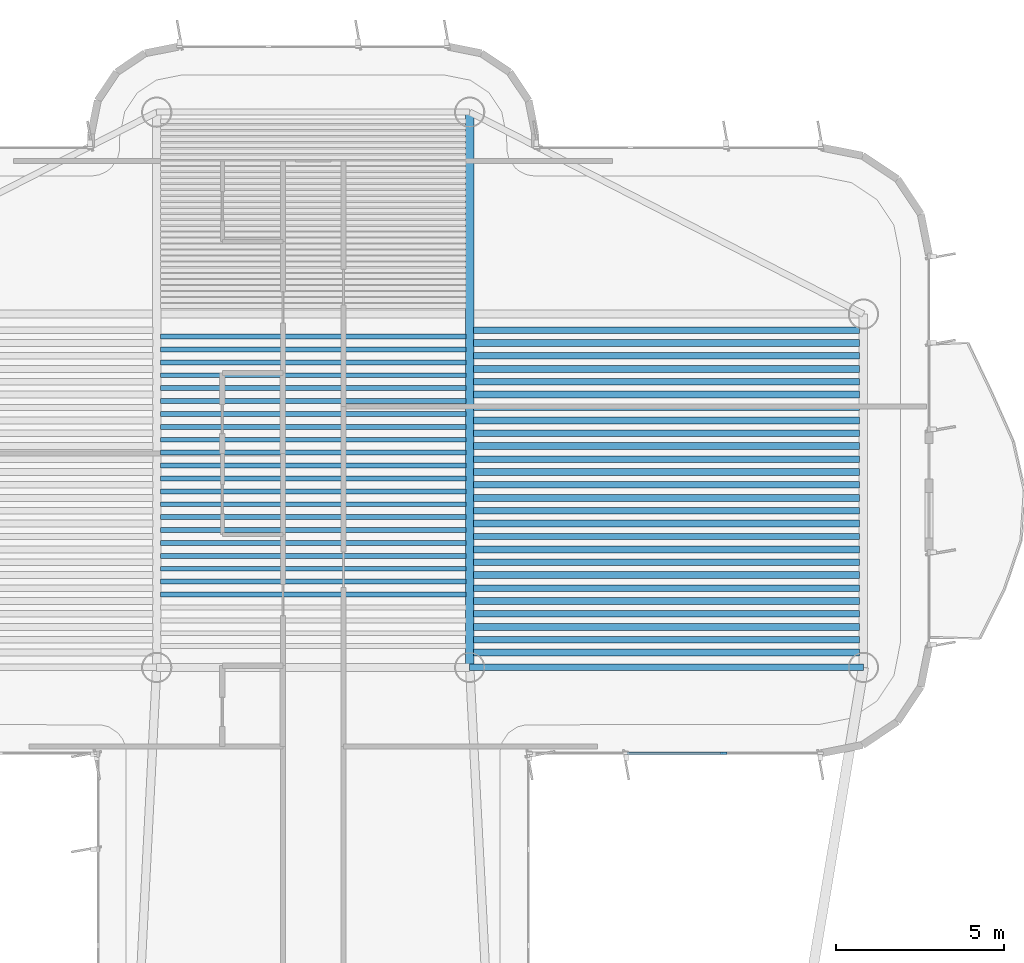
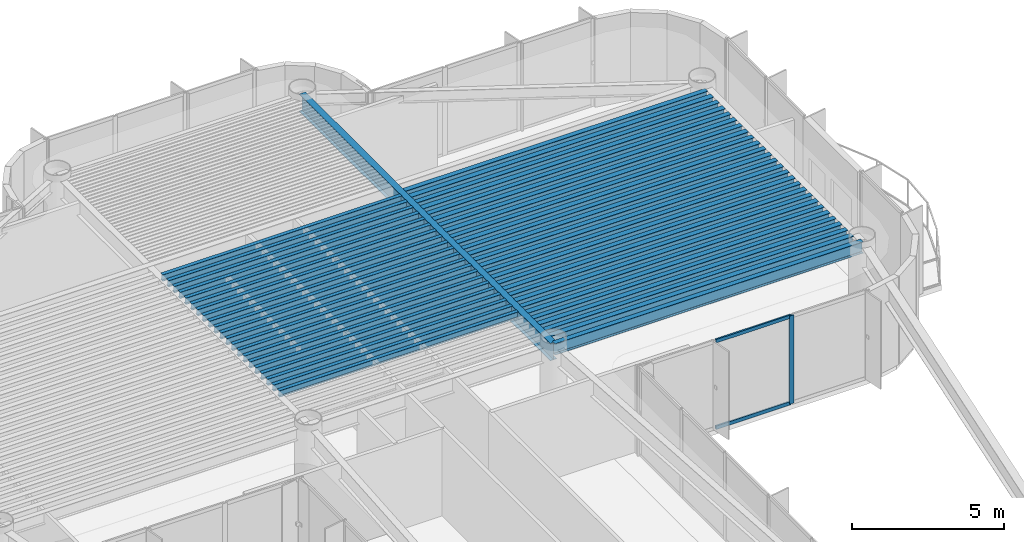
# One storey, part 6 of 15: 49 beams, 3 members, 1 element without a shape of its own.
"""IFC4 building model written with IfcOpenShell, lengths in metres."""

from ifc_helpers import new_model, si_unit, direction, frame, origin, origin_2d, place, context, subcontext, project, spatial, rectangle, i_section, extrude, source, transform, mapped, material, layer, layer_set, material_profile, profile_set, type_object, element, aggregate, save


model = new_model("IFC4")

# Units and contexts
model_context = context("Model", 3, precision=1e-05, world=origin(), true_north=direction((0.0, 1.0)))
body_context = subcontext(model_context, "Body", "Model", "MODEL_VIEW")
ifc_project = project(units=[si_unit("LENGTHUNIT", "METRE"), si_unit("AREAUNIT", "SQUARE_METRE"), si_unit("VOLUMEUNIT", "CUBIC_METRE"), si_unit("PLANEANGLEUNIT", "RADIAN"), si_unit("MASSUNIT", "GRAM", prefix="KILO")], contexts=[model_context])

# Site, building, storey
site_placement = place(None, origin())
site = spatial("IfcSite", under=ifc_project, at=site_placement, CompositionType="ELEMENT")
building_placement = place(site_placement, origin())
building = spatial("IfcBuilding", under=site, at=building_placement, Name="Brelvock Crest Care Tower", CompositionType="ELEMENT")
storey_placement = place(building_placement, frame((0.0, 0.0, 279.719970703125)))
storey = spatial("IfcBuildingStorey", under=building, at=storey_placement, Name="L71", CompositionType="ELEMENT", Elevation=279.719970703125)

# Beams
ifc_material_1 = material(Name="Steel Grade 350", Category="steel")
ifc_material_profile_1 = material_profile(ifc_material_1, i_section(OverallWidth=0.14599609375, OverallDepth=0.256103515625, WebThickness=0.00634765625, FlangeThickness=0.010986328125, FilletRadius=0.0087890625, at=origin_2d()), Name="250UB37.3")
ifc_profile_set_1 = profile_set([ifc_material_profile_1], Name="Steel Grade 350")
beam_type_1 = type_object("IfcBeamType", Name="BM-J3", PredefinedType="JOIST", material=ifc_profile_set_1)
shared_shape_1 = source(origin(), body_context, "Body", "SweptSolid", [
    extrude(i_section(OverallWidth=0.14599609375, OverallDepth=0.256103515625, WebThickness=0.00634765625, FlangeThickness=0.010986328125, FilletRadius=0.0087890625, at=origin_2d()), origin(), (0.0, 0.0, 1.0), 9.06982421875),
])
for number, where, z_axis, x_axis, name in (
    (1, (31.465087890625, 46.115478515625, 3.402099609375), (1.0, 0.0, 0.0), (0.0, 1.0, 0.0), "BM-JH-L71-5"),
    (2, (31.465087890625, 46.498779296875, 3.402099609375), (1.0, 0.0, 0.0), (0.0, 1.0, 0.0), "BM-JH-L71-6"),
    (3, (31.465087890625, 46.882080078125, 3.402099609375), (1.0, 0.0, 0.0), (0.0, 1.0, 0.0), "BM-JH-L71-7"),
    (4, (31.465087890625, 47.265380859375, 3.402099609375), (1.0, 0.0, 0.0), (0.0, 1.0, 0.0), "BM-JH-L71-8"),
    (5, (31.465087890625, 47.648681640625, 3.402099609375), (1.0, 0.0, 0.0), (0.0, 1.0, 0.0), "BM-JH-L71-9"),
    (6, (31.465087890625, 48.031982421875, 3.402099609375), (1.0, 0.0, 0.0), (0.0, 1.0, 0.0), "BM-JH-L71-10"),
    (7, (31.465087890625, 48.4150390625, 3.402099609375), (1.0, 0.0, 0.0), (0.0, 1.0, 0.0), "BM-JH-L71-11"),
    (8, (31.465087890625, 48.79833984375, 3.402099609375), (1.0, 0.0, 0.0), (0.0, 1.0, 0.0), "BM-JH-L71-12"),
    (9, (31.465087890625, 49.181640625, 3.402099609375), (1.0, 0.0, 0.0), (0.0, 1.0, 0.0), "BM-JH-L71-13"),
    (10, (31.465087890625, 49.564697265625, 3.402099609375), (1.0, 0.0, 0.0), (0.0, 1.0, 0.0), "BM-JH-L71-14"),
    (11, (31.465087890625, 49.947998046875, 3.402099609375), (1.0, 0.0, 0.0), (0.0, 1.0, 0.0), "BM-JH-L71-15"),
    (12, (31.465087890625, 50.331298828125, 3.402099609375), (1.0, 0.0, 0.0), (0.0, 1.0, 0.0), "BM-JH-L71-16"),
    (13, (31.465087890625, 50.714599609375, 3.402099609375), (1.0, 0.0, 0.0), (0.0, 1.0, 0.0), "BM-JH-L71-17"),
    (14, (31.465087890625, 51.097900390625, 3.402099609375), (1.0, 0.0, 0.0), (0.0, 1.0, 0.0), "BM-JH-L71-18"),
    (15, (31.465087890625, 51.481201171875, 3.402099609375), (1.0, 0.0, 0.0), (0.0, 1.0, 0.0), "BM-JH-L71-19"),
    (16, (31.465087890625, 51.864501953125, 3.402099609375), (1.0, 0.0, 0.0), (0.0, 1.0, 0.0), "BM-JH-L71-20"),
    (17, (31.465087890625, 52.24755859375, 3.402099609375), (1.0, 0.0, 0.0), (0.0, 1.0, 0.0), "BM-JH-L71-21"),
    (18, (31.465087890625, 52.630859375, 3.402099609375), (1.0, 0.0, 0.0), (0.0, 1.0, 0.0), "BM-JH-L71-22"),
    (19, (31.465087890625, 53.01416015625, 3.402099609375), (1.0, 0.0, 0.0), (0.0, 1.0, 0.0), "BM-JH-L71-23"),
    (20, (31.465087890625, 53.3974609375, 3.402099609375), (1.0, 0.0, 0.0), (0.0, 1.0, 0.0), "BM-JH-L71-24"),
    (21, (31.465087890625, 53.780517578125, 3.402099609375), (1.0, 0.0, 0.0), (0.0, 1.0, 0.0), "BM-JH-L71-25"),
):
    element("IfcBeam", number, at=place(storey_placement, frame(where, z_axis=z_axis, x_axis=x_axis)), inside=storey, type_object=beam_type_1, Name=name, PredefinedType="JOIST", context=body_context, shape_type="MappedRepresentation", body=[
        mapped(shared_shape_1, transform((0.0, 0.0, 0.0), x_axis=(1.0, 0.0, 0.0), y_axis=(0.0, 1.0, 0.0), z_axis=(0.0, 0.0, 1.0), scale=1.0)),
    ])
ifc_material_profile_2 = material_profile(ifc_material_1, i_section(OverallWidth=0.19091796875, OverallDepth=0.4599609375, WebThickness=0.010009765625, FlangeThickness=0.01611328125, FilletRadius=0.011474609375, at=origin_2d()), Name="460UB82.1")
ifc_profile_set_2 = profile_set([ifc_material_profile_2], Name="Steel Grade 350")
beam_type_2 = type_object("IfcBeamType", Name="BM-G3", PredefinedType="BEAM", material=ifc_profile_set_2)
shared_shape_2 = source(origin(), body_context, "Body", "SweptSolid", [
    extrude(i_section(OverallWidth=0.19091796875, OverallDepth=0.4599609375, WebThickness=0.010009765625, FlangeThickness=0.01611328125, FilletRadius=0.011474609375, at=origin_2d()), origin(), (0.0, 0.0, 1.0), 11.47021484375),
])
for number, where, z_axis, x_axis, name in (
    (22, (40.764892578125, 44.7744140625, 3.300048828125), (1.0, 0.0, 0.0), (0.0, 1.0, 0.0), "BM-JE-L71-2"),
    (23, (40.764892578125, 45.540771484375, 3.300048828125), (1.0, 0.0, 0.0), (0.0, 1.0, 0.0), "BM-JE-L71-4"),
    (24, (40.764892578125, 46.307373046875, 3.300048828125), (1.0, 0.0, 0.0), (0.0, 1.0, 0.0), "BM-JE-L71-6"),
    (25, (40.764892578125, 47.07373046875, 3.300048828125), (1.0, 0.0, 0.0), (0.0, 1.0, 0.0), "BM-JE-L71-8"),
    (26, (40.764892578125, 47.84033203125, 3.300048828125), (1.0, 0.0, 0.0), (0.0, 1.0, 0.0), "BM-JE-L71-10"),
    (27, (40.764892578125, 48.606689453125, 3.300048828125), (1.0, 0.0, 0.0), (0.0, 1.0, 0.0), "BM-JE-L71-12"),
    (28, (40.764892578125, 49.373291015625, 3.300048828125), (1.0, 0.0, 0.0), (0.0, 1.0, 0.0), "BM-JE-L71-14"),
    (29, (40.764892578125, 50.139892578125, 3.300048828125), (1.0, 0.0, 0.0), (0.0, 1.0, 0.0), "BM-JE-L71-16"),
    (30, (40.764892578125, 50.90625, 3.300048828125), (1.0, 0.0, 0.0), (0.0, 1.0, 0.0), "BM-JE-L71-18"),
    (31, (40.764892578125, 51.6728515625, 3.300048828125), (1.0, 0.0, 0.0), (0.0, 1.0, 0.0), "BM-JE-L71-20"),
    (32, (40.764892578125, 52.439208984375, 3.300048828125), (1.0, 0.0, 0.0), (0.0, 1.0, 0.0), "BM-JE-L71-22"),
    (33, (40.764892578125, 53.205810546875, 3.300048828125), (1.0, 0.0, 0.0), (0.0, 1.0, 0.0), "BM-JE-L71-24"),
    (34, (40.764892578125, 53.972412109375, 3.300048828125), (1.0, 0.0, 0.0), (0.0, 1.0, 0.0), "BM-JE-L71-26"),
):
    element("IfcBeam", number, at=place(storey_placement, frame(where, z_axis=z_axis, x_axis=x_axis)), inside=storey, type_object=beam_type_2, Name=name, PredefinedType="BEAM", context=body_context, shape_type="MappedRepresentation", body=[
        mapped(shared_shape_2, transform((0.0, 0.0, 0.0), x_axis=(1.0, 0.0, 0.0), y_axis=(0.0, 1.0, 0.0), z_axis=(0.0, 0.0, 1.0), scale=1.0)),
    ])
ifc_material_profile_3 = material_profile(ifc_material_1, i_section(OverallWidth=0.208984375, OverallDepth=0.532958984375, WebThickness=0.01025390625, FlangeThickness=0.015625, FilletRadius=0.013916015625, at=origin_2d()), Name="530UB92.4")
ifc_profile_set_3 = profile_set([ifc_material_profile_3], Name="Steel Grade 350")
beam_type_3 = type_object("IfcBeamType", Name="BM-G2", PredefinedType="BEAM", material=ifc_profile_set_3)
shared_shape_3 = source(origin(), body_context, "Body", "SweptSolid", [
    extrude(i_section(OverallWidth=0.208984375, OverallDepth=0.532958984375, WebThickness=0.01025390625, FlangeThickness=0.015625, FilletRadius=0.013916015625, at=origin_2d()), origin(), (0.0, 0.0, 1.0), 11.47021484375),
])
for number, where, z_axis, x_axis, name in (
    (35, (40.764892578125, 44.39111328125, 3.263427734375), (1.0, 0.0, 0.0), (0.0, 1.0, 0.0), "BM-JE-L71-1"),
    (36, (40.764892578125, 45.157470703125, 3.263427734375), (1.0, 0.0, 0.0), (0.0, 1.0, 0.0), "BM-JE-L71-3"),
    (37, (40.764892578125, 45.924072265625, 3.263427734375), (1.0, 0.0, 0.0), (0.0, 1.0, 0.0), "BM-JE-L71-5"),
    (38, (40.764892578125, 46.6904296875, 3.263427734375), (1.0, 0.0, 0.0), (0.0, 1.0, 0.0), "BM-JE-L71-7"),
    (39, (40.764892578125, 47.45703125, 3.263427734375), (1.0, 0.0, 0.0), (0.0, 1.0, 0.0), "BM-JE-L71-9"),
    (40, (40.764892578125, 48.223388671875, 3.263427734375), (1.0, 0.0, 0.0), (0.0, 1.0, 0.0), "BM-JE-L71-11"),
    (41, (40.764892578125, 48.989990234375, 3.263427734375), (1.0, 0.0, 0.0), (0.0, 1.0, 0.0), "BM-JE-L71-13"),
    (42, (40.764892578125, 49.756591796875, 3.263427734375), (1.0, 0.0, 0.0), (0.0, 1.0, 0.0), "BM-JE-L71-15"),
    (43, (40.764892578125, 50.52294921875, 3.263427734375), (1.0, 0.0, 0.0), (0.0, 1.0, 0.0), "BM-JE-L71-17"),
    (44, (40.764892578125, 51.28955078125, 3.263427734375), (1.0, 0.0, 0.0), (0.0, 1.0, 0.0), "BM-JE-L71-19"),
    (45, (40.764892578125, 52.055908203125, 3.263427734375), (1.0, 0.0, 0.0), (0.0, 1.0, 0.0), "BM-JE-L71-21"),
    (46, (40.764892578125, 52.822509765625, 3.263427734375), (1.0, 0.0, 0.0), (0.0, 1.0, 0.0), "BM-JE-L71-23"),
    (47, (40.764892578125, 53.589111328125, 3.263427734375), (1.0, 0.0, 0.0), (0.0, 1.0, 0.0), "BM-JE-L71-25"),
):
    element("IfcBeam", number, at=place(storey_placement, frame(where, z_axis=z_axis, x_axis=x_axis)), inside=storey, type_object=beam_type_3, Name=name, PredefinedType="BEAM", context=body_context, shape_type="MappedRepresentation", body=[
        mapped(shared_shape_3, transform((0.0, 0.0, 0.0), x_axis=(1.0, 0.0, 0.0), y_axis=(0.0, 1.0, 0.0), z_axis=(0.0, 0.0, 1.0), scale=1.0)),
    ])
ifc_material_profile_4 = material_profile(ifc_material_1, i_section(OverallWidth=0.19091796875, OverallDepth=0.4599609375, WebThickness=0.010009765625, FlangeThickness=0.01611328125, FilletRadius=0.011474609375, at=origin_2d()), Name="460UB82.1")
ifc_profile_set_4 = profile_set([ifc_material_profile_4], Name="Steel Grade 350")
beam_type_4 = type_object("IfcBeamType", Name="BM-SP2", PredefinedType="SPANDREL", material=ifc_profile_set_4)
shared_shape_4 = source(origin(), body_context, "Body", "SweptSolid", [
    extrude(i_section(OverallWidth=0.19091796875, OverallDepth=0.4599609375, WebThickness=0.010009765625, FlangeThickness=0.01611328125, FilletRadius=0.011474609375, at=origin_2d()), origin(), (0.0, 0.0, 1.0), 11.7001953125),
])
beam_1_placement = place(storey_placement, frame((40.64990234375, 43.949951171875, 3.300048828125), z_axis=(1.0, 0.0, 0.0), x_axis=(0.0, 1.0, 0.0)))
element("IfcBeam", 48, at=beam_1_placement, inside=storey, type_object=beam_type_4, Name="BM-TWR-L71-04", PredefinedType="SPANDREL", context=body_context, shape_type="MappedRepresentation", body=[
    mapped(shared_shape_4, transform((0.0, 0.0, 0.0), x_axis=(1.0, 0.0, 0.0), y_axis=(0.0, 1.0, 0.0), z_axis=(0.0, 0.0, 1.0), scale=1.0)),
])
ifc_material_profile_5 = material_profile(ifc_material_1, i_section(OverallWidth=0.25, OverallDepth=0.699951171875, WebThickness=0.011962890625, FlangeThickness=0.02001953125, at=origin_2d()), Name="700WB150")
ifc_profile_set_5 = profile_set([ifc_material_profile_5], Name="Steel Grade 350")
beam_type_5 = type_object("IfcBeamType", Name="BM-G4", PredefinedType="BEAM", material=ifc_profile_set_5)
shared_shape_5 = source(origin(), body_context, "Body", "SweptSolid", [
    extrude(i_section(OverallWidth=0.25, OverallDepth=0.699951171875, WebThickness=0.011962890625, FlangeThickness=0.02001953125, at=origin_2d()), origin(), (0.0, 0.0, 1.0), 16.5),
])
beam_2_placement = place(storey_placement, frame((40.64990234375, 43.949951171875, 3.179931640625), z_axis=(0.0, 1.0, 0.0), x_axis=(-1.0, 0.0, 0.0)))
element("IfcBeam", 49, at=beam_2_placement, inside=storey, type_object=beam_type_5, Name="BM-TWR-L71-10", PredefinedType="BEAM", context=body_context, shape_type="MappedRepresentation", body=[
    mapped(shared_shape_5, transform((0.0, 0.0, 0.0), x_axis=(1.0, 0.0, 0.0), y_axis=(0.0, 1.0, 0.0), z_axis=(0.0, 0.0, 1.0), scale=1.0)),
])

# Curtain wall, members
ifc_material_2 = material(Name="Dark Glass Double Glazed Low-E", Category="glass")
ifc_layer = layer(ifc_material_2, 0.239990234375, Name="CWS-5")
ifc_layer_set = layer_set([ifc_layer], Name="Dark Glass Double Glazed Low-E")
curtain_wall_type = type_object("IfcCurtainWallType", Name="CWS-5", PredefinedType="NOTDEFINED", material=ifc_layer_set)
curtain_wall_placement = place(storey_placement, origin())
curtain_wall = element("IfcCurtainWall", 50, at=curtain_wall_placement, inside=storey, type_object=curtain_wall_type, Name="L71 Curtain Wall E44", PredefinedType="NOTDEFINED")
ifc_material_3 = material(Name="Aluminium 6063-T6", Category="aluminium")
ifc_material_profile_6 = material_profile(ifc_material_3, rectangle(XDim=0.06005859375, YDim=0.179931640625, at=origin_2d()), Name="ALU60x180")
ifc_profile_set_6 = profile_set([ifc_material_profile_6], Name="Aluminium 6063-T6")
member_type_1 = type_object("IfcMemberType", Name="CWM-2", PredefinedType="MULLION", material=ifc_profile_set_6)
shared_shape_6 = source(origin(), body_context, "Body", "SweptSolid", [
    extrude(rectangle(XDim=0.06005859375, YDim=0.179931640625, at=origin_2d()), origin(), (0.0, 0.0, 1.0), 3.530029296875),
])
member_1_placement = place(storey_placement, frame((48.199951171875, 41.39990234375, 0.0), z_axis=(0.0, 0.0, 1.0), x_axis=(0.0, -1.0, 0.0)))
member_1 = element("IfcMember", 51, at=member_1_placement, type_object=member_type_1, Name="CW-5 mullion 2", PredefinedType="MULLION", context=body_context, shape_type="MappedRepresentation", body=[
    mapped(shared_shape_6, transform((0.0, 0.0, 0.0), x_axis=(1.0, 0.0, 0.0), y_axis=(0.0, 1.0, 0.0), z_axis=(0.0, 0.0, 1.0), scale=1.0)),
])
ifc_material_profile_7 = material_profile(ifc_material_3, rectangle(XDim=0.06005859375, YDim=0.139892578125, at=origin_2d()), Name="ALU60x140")
ifc_profile_set_7 = profile_set([ifc_material_profile_7], Name="Aluminium 6063-T6")
member_type_2 = type_object("IfcMemberType", Name="CWT-2", PredefinedType="USERDEFINED", material=ifc_profile_set_7)
shared_shape_7 = source(origin(), body_context, "Body", "SweptSolid", [
    extrude(rectangle(XDim=0.06005859375, YDim=0.139892578125, at=origin_2d()), origin(), (0.0, 0.0, 1.0), 2.83984375),
])
member_2_placement = place(storey_placement, frame((48.169921875, 41.39990234375, 0.030029296875), z_axis=(-1.0, 0.0, 0.0), x_axis=(0.0, -1.0, 0.0)))
member_2 = element("IfcMember", 52, at=member_2_placement, type_object=member_type_2, Name="CW-5 transom 2.1", ObjectType="TRANSOM", PredefinedType="USERDEFINED", context=body_context, shape_type="MappedRepresentation", body=[
    mapped(shared_shape_7, transform((0.0, 0.0, 0.0), x_axis=(1.0, 0.0, 0.0), y_axis=(0.0, 1.0, 0.0), z_axis=(0.0, 0.0, 1.0), scale=1.0)),
])
member_3_placement = place(storey_placement, frame((48.169921875, 41.39990234375, 3.5), z_axis=(-1.0, 0.0, 0.0), x_axis=(0.0, -1.0, 0.0)))
member_3 = element("IfcMember", 53, at=member_3_placement, type_object=member_type_2, Name="CW-5 transom 2.2", ObjectType="TRANSOM", PredefinedType="USERDEFINED", context=body_context, shape_type="MappedRepresentation", body=[
    mapped(shared_shape_7, transform((0.0, 0.0, 0.0), x_axis=(1.0, 0.0, 0.0), y_axis=(0.0, 1.0, 0.0), z_axis=(0.0, 0.0, 1.0), scale=1.0)),
])
aggregate(curtain_wall, [member_1, member_2, member_3])

save(model, "model.ifc")
